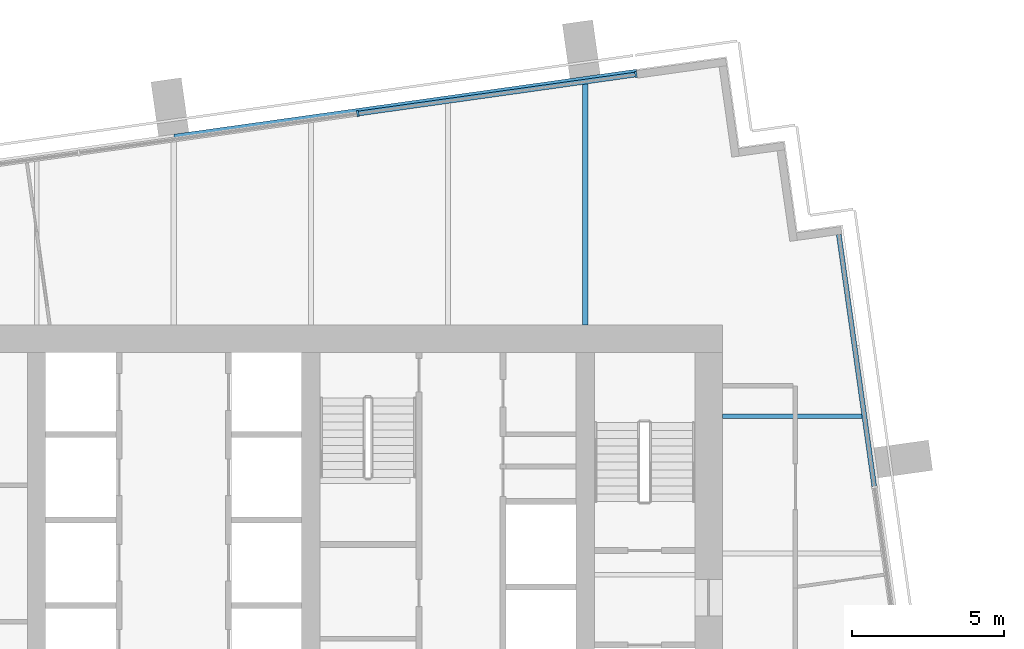
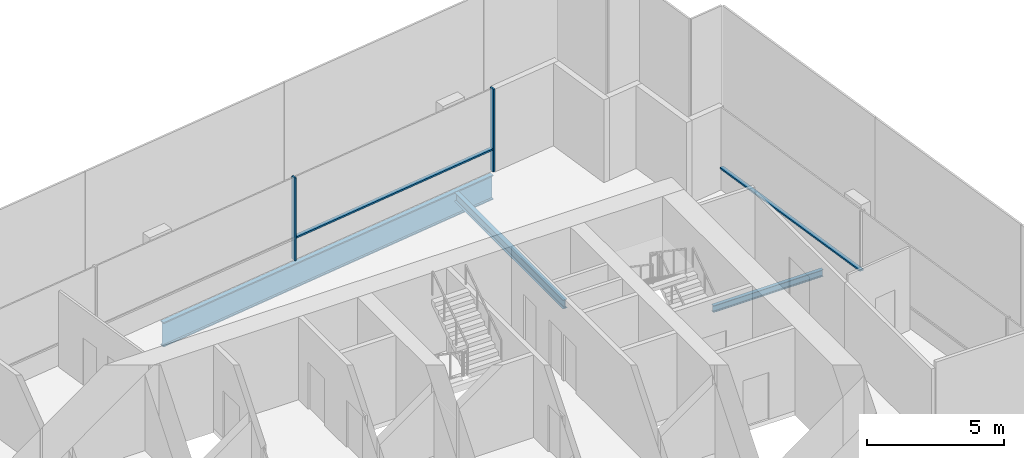
# One storey, part 6 of 15: 4 members, 3 beams, 2 elements without a shape of their own.
"""IFC4 building model written with IfcOpenShell, lengths in metres."""

from ifc_helpers import new_model, si_unit, direction, frame, origin, origin_2d, place, context, subcontext, project, spatial, rectangle, i_section, extrude, material, layer, layer_set, material_profile, profile_set, type_object, element, aggregate, save


model = new_model("IFC4")

# Units and contexts
model_context = context("Model", 3, precision=1e-05, world=origin(), true_north=direction((0.0, 1.0)))
body_context = subcontext(model_context, "Body", "Model", "MODEL_VIEW")
ifc_project = project(units=[si_unit("LENGTHUNIT", "METRE"), si_unit("AREAUNIT", "SQUARE_METRE"), si_unit("VOLUMEUNIT", "CUBIC_METRE"), si_unit("PLANEANGLEUNIT", "RADIAN"), si_unit("MASSUNIT", "GRAM", prefix="KILO")], contexts=[model_context])

# Site, building, storey
site_placement = place(None, origin())
site = spatial("IfcSite", under=ifc_project, at=site_placement, CompositionType="ELEMENT")
building_placement = place(site_placement, origin())
building = spatial("IfcBuilding", under=site, at=building_placement, Name="Rattan Terrace Tower", CompositionType="ELEMENT")
storey_placement = place(building_placement, frame((0.0, 0.0, 255.10009765625)))
storey = spatial("IfcBuildingStorey", under=building, at=storey_placement, Name="L58", CompositionType="ELEMENT", Elevation=255.10009765625)

# Beams
ifc_material_1 = material(Name="Steel S460", Category="steel")
ifc_material_profile_1 = material_profile(ifc_material_1, i_section(OverallWidth=0.179931640625, OverallDepth=1.10009765625, WebThickness=0.01611328125, FlangeThickness=0.050048828125, at=origin_2d()), Name="PG 1100x180-16-50")
ifc_profile_set_1 = profile_set([ifc_material_profile_1], Name="Steel S460")
beam_type_1 = type_object("IfcBeamType", Name="Frame edge girder PG 1100x180-16-50", PredefinedType="SPANDREL", material=ifc_profile_set_1)
beam_1_placement = place(storey_placement, frame((15.18896484375, 15.801025390625, -0.75), z_axis=(-0.99026622182, -0.139186241857, 0.0), x_axis=(0.139186241857, -0.99026622182, 0.0)))
element("IfcBeam", 1, at=beam_1_placement, inside=storey, type_object=beam_type_1, Name="gdr-L58-006", PredefinedType="SPANDREL", context=body_context, shape_type="SweptSolid", body=[
    extrude(i_section(OverallWidth=0.179931640625, OverallDepth=1.10009765625, WebThickness=0.01611328125, FlangeThickness=0.050048828125, at=origin_2d()), origin(), (0.0, 0.0, 1.0), 15.3251953125),
])
ifc_material_2 = material(Name="Steel S355", Category="steel")
ifc_material_profile_2 = material_profile(ifc_material_2, i_section(OverallWidth=0.14990234375, OverallDepth=0.300048828125, WebThickness=0.007080078125, FlangeThickness=0.0107421875, FilletRadius=0.014892578125, at=origin_2d()), Name="IPE 300")
ifc_profile_set_2 = profile_set([ifc_material_profile_2], Name="Steel S355")
beam_type_2 = type_object("IfcBeamType", Name="Frame floor beam IPE 300", PredefinedType="JOIST", material=ifc_profile_set_2)
beam_2_placement = place(storey_placement, frame((18.0, 4.5, -0.35009765625), z_axis=(1.0, 0.0, 0.0), x_axis=(0.0, 1.0, 0.0)))
element("IfcBeam", 2, at=beam_2_placement, inside=storey, type_object=beam_type_2, Name="bm-L58-014", PredefinedType="JOIST", context=body_context, shape_type="SweptSolid", body=[
    extrude(i_section(OverallWidth=0.14990234375, OverallDepth=0.300048828125, WebThickness=0.007080078125, FlangeThickness=0.0107421875, FilletRadius=0.014892578125, at=origin_2d()), origin(), (0.0, 0.0, 1.0), 4.64404296875),
])
ifc_material_3 = material(Name="Steel S355", Category="steel")
ifc_material_profile_3 = material_profile(ifc_material_3, i_section(OverallWidth=0.179931640625, OverallDepth=0.39990234375, WebThickness=0.008544921875, FlangeThickness=0.013427734375, FilletRadius=0.02099609375, at=origin_2d()), Name="IPE 400")
ifc_profile_set_3 = profile_set([ifc_material_profile_3], Name="Steel S355")
beam_type_3 = type_object("IfcBeamType", Name="Frame floor beam IPE 400", PredefinedType="JOIST", material=ifc_profile_set_3)
beam_3_placement = place(storey_placement, frame((13.5, 7.5, -0.400146484375), z_axis=(0.0, 1.0, 0.0), x_axis=(-1.0, 0.0, 0.0)))
element("IfcBeam", 3, at=beam_3_placement, inside=storey, type_object=beam_type_3, Name="bm-L58-021", PredefinedType="JOIST", context=body_context, shape_type="SweptSolid", body=[
    extrude(i_section(OverallWidth=0.179931640625, OverallDepth=0.39990234375, WebThickness=0.008544921875, FlangeThickness=0.013427734375, FilletRadius=0.02099609375, at=origin_2d()), origin(), (0.0, 0.0, 1.0), 7.9599609375),
])

# Curtain wall, members
ifc_material_4 = material(Name="Aluminium and laminated glass", Category="aluminium")
ifc_layer = layer(ifc_material_4, 0.199951171875)
ifc_layer_set = layer_set([ifc_layer], Name="High-Zone Unitised Curtain Wall")
curtain_wall_type = type_object("IfcCurtainWallType", Name="High-Zone Unitised Curtain Wall", PredefinedType="NOTDEFINED", material=ifc_layer_set)
curtain_wall_1_placement = place(storey_placement, origin())
curtain_wall_1 = element("IfcCurtainWall", 4, at=curtain_wall_1_placement, inside=storey, type_object=curtain_wall_type, Name="High-zone curtain wall L58-2", PredefinedType="NOTDEFINED")
ifc_material_5 = material(Name="Aluminium", Category="aluminium")
ifc_material_profile_4 = material_profile(ifc_material_5, rectangle(XDim=0.070068359375, YDim=0.199951171875, at=origin_2d()), Name="Aluminium 70x200")
ifc_profile_set_4 = profile_set([ifc_material_profile_4], Name="Aluminium")
member_type_1 = type_object("IfcMemberType", Name="High-Zone CW Mullion 70x200", PredefinedType="MULLION", material=ifc_profile_set_4)
member_1_placement = place(storey_placement, frame((15.1650390625, 15.716796875, 0.0), z_axis=(0.0, 0.0, 1.0), x_axis=(-0.990265894013, -0.139188574079, 0.0)))
member_1 = element("IfcMember", 5, at=member_1_placement, type_object=member_type_1, Name="Mullion cwl-L58-002.1", PredefinedType="MULLION", context=body_context, shape_type="SweptSolid", body=[
    extrude(rectangle(XDim=0.070068359375, YDim=0.199951171875, at=origin_2d()), origin(), (0.0, 0.0, 1.0), 3.699951171875),
])
member_2_placement = place(storey_placement, frame((6.040771484375, 14.434326171875, 0.0), z_axis=(0.0, 0.0, 1.0), x_axis=(-0.990265894013, -0.139188574079, 0.0)))
member_2 = element("IfcMember", 6, at=member_2_placement, type_object=member_type_1, Name="Mullion cwl-L58-002.2", PredefinedType="MULLION", context=body_context, shape_type="SweptSolid", body=[
    extrude(rectangle(XDim=0.070068359375, YDim=0.199951171875, at=origin_2d()), origin(), (0.0, 0.0, 1.0), 3.699951171875),
])

# Curtain wall, member
curtain_wall_2_placement = place(storey_placement, origin())
curtain_wall_2 = element("IfcCurtainWall", 7, at=curtain_wall_2_placement, inside=storey, type_object=curtain_wall_type, Name="High-zone curtain wall L58-1", PredefinedType="NOTDEFINED")
ifc_material_6 = material(Name="Aluminium", Category="aluminium")
ifc_material_profile_5 = material_profile(ifc_material_6, rectangle(XDim=0.159912109375, YDim=0.070068359375, at=origin_2d()), Name="Aluminium 160x70")
ifc_profile_set_5 = profile_set([ifc_material_profile_5], Name="Aluminium")
member_type_2 = type_object("IfcMemberType", Name="High-Zone CW Transom 160x70", PredefinedType="USERDEFINED", material=ifc_profile_set_5)
member_3_placement = place(storey_placement, frame((22.985107421875, 2.212158203125, 1.0), z_axis=(-0.139198740199, 0.990264465043, 0.0), x_axis=(-0.990264465043, -0.139198740199, 0.0)))
member_3 = element("IfcMember", 8, at=member_3_placement, type_object=member_type_2, Name="Transom cwl-L58-001.3", ObjectType="TRANSOM", PredefinedType="USERDEFINED", context=body_context, shape_type="SweptSolid", body=[
    extrude(rectangle(XDim=0.159912109375, YDim=0.070068359375, at=origin_2d()), origin(), (0.0, 0.0, 1.0), 8.336181640625),
])
aggregate(curtain_wall_2, [member_3])

# Member
member_4_placement = place(storey_placement, frame((15.13037109375, 15.7119140625, 1.0), z_axis=(-0.990266298783, -0.139185694291, 0.0), x_axis=(0.139185694291, -0.990266298783, 0.0)))
member_4 = element("IfcMember", 9, at=member_4_placement, type_object=member_type_2, Name="Transom cwl-L58-002.1", ObjectType="TRANSOM", PredefinedType="USERDEFINED", context=body_context, shape_type="SweptSolid", body=[
    extrude(rectangle(XDim=0.159912109375, YDim=0.070068359375, at=origin_2d()), origin(), (0.0, 0.0, 1.0), 9.14404296875),
])

aggregate(curtain_wall_1, [member_1, member_2, member_4])

save(model, "model.ifc")
